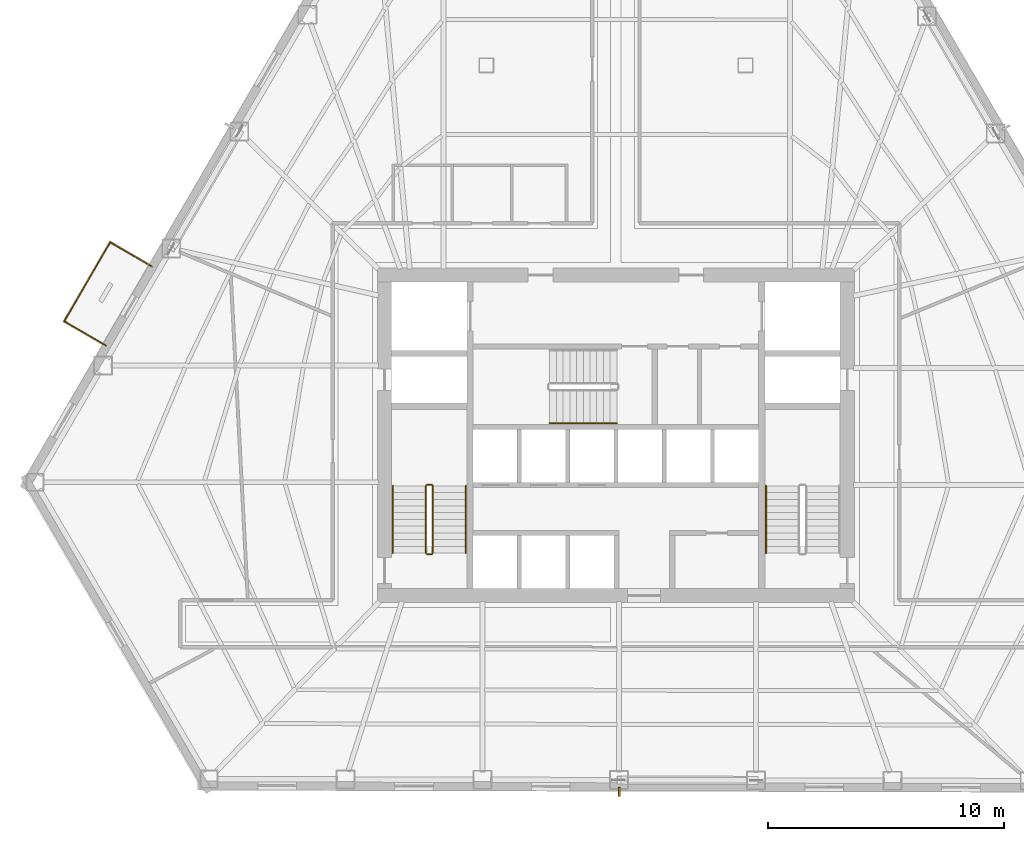
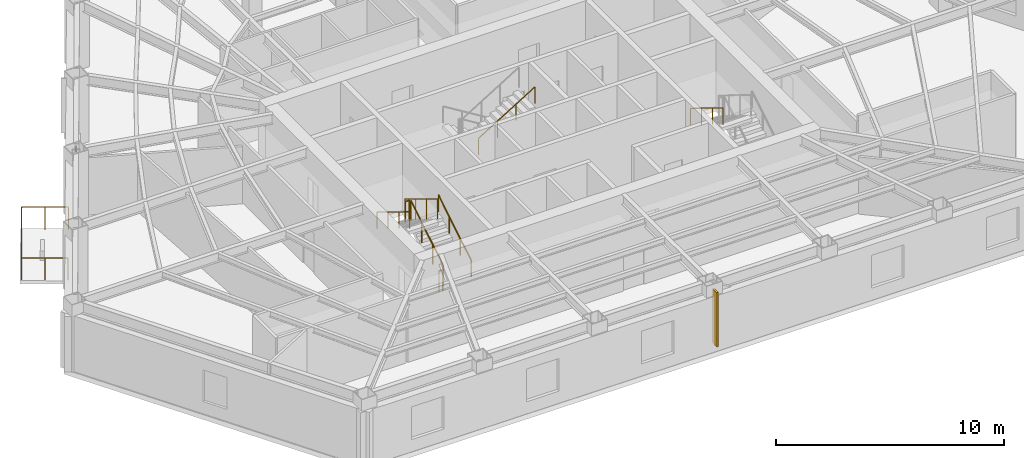
# One storey, part 9 of 11: 11 railings, 1 shading device.
"""IFC4 building model written with IfcOpenShell, lengths in metres."""

import ifcopenshell
import ifcopenshell.guid

model = None  # the IFC model being written
_history = None  # IfcOwnerHistory: only IFC2X3 demands one
_inside = {}  # id of a spatial element -> (the spatial element, [elements in it])
_under = {}  # id of a project, library or spatial element -> (it, [spatial elements below it])
_declared = {}  # id of a project -> (the project, [libraries it declares])
_typed = {}  # id of a type object -> (the type object, [elements of that type])
_made_of = {}  # id of a material, layer set ... -> (it, [elements and type objects made of it])


def new_model(schema):
    """Start an empty IFC model of exactly this schema.

    Asked for "IFC4X3", IfcOpenShell would pick the latest addendum, in which some entities
    have other attributes; the version numbers below select the first issue.
    IFC2X3 requires an IfcOwnerHistory on every rooted entity: one is made here for all.
    """
    global model, _history
    if schema == "IFC4X3":
        model = ifcopenshell.file(schema_version=(4, 3, 0, 0))
    else:
        model = ifcopenshell.file(schema=schema)
    _inside.clear()
    _under.clear()
    _declared.clear()
    _typed.clear()
    _made_of.clear()
    _history = None
    if model.schema == "IFC2X3":
        org = make("IfcOrganization", Name="unknown")
        user = make(
            "IfcPersonAndOrganization",
            ThePerson=make("IfcPerson", FamilyName="unknown"),
            TheOrganization=org,
        )
        app = make(
            "IfcApplication",
            ApplicationDeveloper=org,
            Version="unknown",
            ApplicationFullName="unknown",
            ApplicationIdentifier="unknown",
        )
        _history = make(
            "IfcOwnerHistory",
            OwningUser=user,
            OwningApplication=app,
            ChangeAction="ADDED",
            CreationDate=0,
        )
    return model


def make(cls, **values):
    """One entity of the class cls with the attributes given. An attribute that is None is left unset."""
    return model.create_entity(
        cls, **{name: value for name, value in values.items() if value is not None}
    )


def rooted(cls, **values):
    """An entity with a GlobalId (a new one), such as an element, a storey or a relation."""
    return make(cls, GlobalId=ifcopenshell.guid.new(), OwnerHistory=_history, **values)


def si_unit(unit_type, name, prefix=None):
    """IfcSIUnit, for example si_unit("LENGTHUNIT", "METRE", prefix="MILLI")."""
    return make("IfcSIUnit", UnitType=unit_type, Prefix=prefix, Name=name)


def assignment(units):
    """IfcUnitAssignment: the units of a project."""
    return None if units is None else make("IfcUnitAssignment", Units=units)


def point(xyz):
    """IfcCartesianPoint."""
    return None if xyz is None else make("IfcCartesianPoint", Coordinates=xyz)


def direction(xyz):
    """IfcDirection."""
    return None if xyz is None else make("IfcDirection", DirectionRatios=xyz)


def frame(location, z_axis=None, x_axis=None):
    """IfcAxis2Placement3D, a coordinate frame: its origin and axes. An axis left out is left unset."""
    return make(
        "IfcAxis2Placement3D",
        Location=point(location),
        Axis=direction(z_axis),
        RefDirection=direction(x_axis),
    )


def frame_2d(location, x_axis=None):
    """IfcAxis2Placement2D, a coordinate frame in the plane: its origin and x axis."""
    return make(
        "IfcAxis2Placement2D", Location=point(location), RefDirection=direction(x_axis)
    )


def origin():
    """The frame at (0, 0, 0) with its axes left unset."""
    return frame((0.0, 0.0, 0.0))


def origin_2d():
    """The frame at (0, 0) in the plane with its x axis left unset."""
    return frame_2d((0.0, 0.0))


def place(relative_to, where):
    """IfcLocalPlacement: puts the frame where relative to a parent placement (None: the world)."""
    return make(
        "IfcLocalPlacement", PlacementRelTo=relative_to, RelativePlacement=where
    )


def context(
    kind, dimensions, precision=None, world=None, true_north=None, identifier=None
):
    """IfcGeometricRepresentationContext, for example the 3D "Model" context."""
    return make(
        "IfcGeometricRepresentationContext",
        ContextIdentifier=identifier,
        ContextType=kind,
        CoordinateSpaceDimension=dimensions,
        Precision=precision,
        WorldCoordinateSystem=world,
        TrueNorth=true_north,
    )


def subcontext(parent, identifier, kind, view, scale=None):
    """IfcGeometricRepresentationSubContext, for example "Body" below "Model"."""
    return make(
        "IfcGeometricRepresentationSubContext",
        ContextIdentifier=identifier,
        ContextType=kind,
        ParentContext=parent,
        TargetScale=scale,
        TargetView=view,
    )


def project(units=None, contexts=None):
    """IfcProject with its units and contexts."""
    return rooted(
        "IfcProject",
        Name="project",
        RepresentationContexts=contexts,
        UnitsInContext=assignment(units),
    )


def spatial(cls, under=None, at=None, **own):
    """A site, building, storey or space (cls), placed at a placement, below another one or the project."""
    s = rooted(cls, ObjectPlacement=at, **own)
    if under is not None:
        _under.setdefault(under.id(), (under, []))[1].append(s)
    return s


def profile(cls, at=None, kind="AREA", **sizes):
    """A parametric profile (cls). Its sizes go by their IFC names, for example OverallWidth=200.0."""
    return make(cls, ProfileType=kind, Position=at, **sizes)


def rectangle(**sizes):
    """IfcRectangleProfileDef."""
    return profile("IfcRectangleProfileDef", **sizes)


def circle(**sizes):
    """IfcCircleProfileDef."""
    return profile("IfcCircleProfileDef", **sizes)


def extrude(swept, where, along, depth):
    """IfcExtrudedAreaSolid: the profile swept, set in the frame where, extruded along a direction by depth."""
    return make(
        "IfcExtrudedAreaSolid",
        SweptArea=swept,
        Position=where,
        ExtrudedDirection=direction(along),
        Depth=depth,
    )


def shape(context_of_items, identifier, shape_type, items):
    """IfcShapeRepresentation: the items that make up one representation, for example the "Body"."""
    return make(
        "IfcShapeRepresentation",
        ContextOfItems=context_of_items,
        RepresentationIdentifier=identifier,
        RepresentationType=shape_type,
        Items=items,
    )


def material(Name=None, Category=None):
    """IfcMaterial."""
    return make("IfcMaterial", Name=Name, Category=Category)


def layer(
    of_material, thickness, ventilated=None, Name=None, Category=None, Priority=None
):
    """IfcMaterialLayer: one layer of a wall or slab, of a material (None: an air gap)."""
    return make(
        "IfcMaterialLayer",
        Material=of_material,
        LayerThickness=thickness,
        IsVentilated=ventilated,
        Name=Name,
        Category=Category,
        Priority=Priority,
    )


def layer_set(layers, Name=None):
    """IfcMaterialLayerSet."""
    return make("IfcMaterialLayerSet", MaterialLayers=layers, LayerSetName=Name)


def made_of(thing, what):
    """Note that an element or type object is made of a material, layer set ...; save() writes the relation."""
    if what is not None:
        _made_of.setdefault(what.id(), (what, []))[1].append(thing)
    return thing


def type_object(cls, material=None, **own):
    """A type object (cls), such as IfcWallType, which elements share."""
    return made_of(rooted(cls, **own), material)


def element(
    cls,
    number,
    at=None,
    inside=None,
    cuts=None,
    type_object=None,
    material=None,
    context=None,
    identifier="Body",
    shape_type=None,
    held_by="IfcProductDefinitionShape",
    body=None,
    shapes=None,
    **own,
):
    """One element of the class cls, such as IfcWall. Its Tag is "e" and its number.

    at: its placement. inside: the storey or other place that contains it. cuts: it is an
    opening in that element (IfcRelVoidsElement). A single representation is given by context,
    identifier, shape_type and body (its items); several are given by shapes. held_by: the class
    of the entity that holds the representations. save() writes the other relations.
    """
    e = rooted(cls, Tag="e%d" % number, ObjectPlacement=at, **own)
    if body is not None:
        shapes = [shape(context, identifier, shape_type, body)]
    if shapes is not None:
        e.Representation = make(held_by, Representations=shapes)
    if inside is not None:
        _inside.setdefault(inside.id(), (inside, []))[1].append(e)
    if cuts is not None:
        rooted(
            "IfcRelVoidsElement", RelatingBuildingElement=cuts, RelatedOpeningElement=e
        )
    if type_object is not None:
        _typed.setdefault(type_object.id(), (type_object, []))[1].append(e)
    return made_of(e, material)


def aggregate(whole, parts):
    """IfcRelAggregates: a whole, such as a stair, and the parts it consists of."""
    return rooted("IfcRelAggregates", RelatingObject=whole, RelatedObjects=parts)


def save(model, path):
    """Write the relations noted so far, then the file.

    IfcRelAggregates (storeys below a building ...), IfcRelContainedInSpatialStructure (elements
    in a storey), IfcRelDefinesByType, IfcRelAssociatesMaterial and IfcRelDeclares: one each for
    every whole, place, type object, material and project.
    """
    for whole, parts in _under.values():
        aggregate(whole, parts)
    for where, things in _inside.values():
        rooted(
            "IfcRelContainedInSpatialStructure",
            RelatedElements=things,
            RelatingStructure=where,
        )
    for kind, things in _typed.values():
        rooted("IfcRelDefinesByType", RelatedObjects=things, RelatingType=kind)
    for what, things in _made_of.values():
        rooted("IfcRelAssociatesMaterial", RelatedObjects=things, RelatingMaterial=what)
    for by, libraries in _declared.values():
        rooted("IfcRelDeclares", RelatingContext=by, RelatedDefinitions=libraries)
    model.write(path)


model = new_model("IFC4")

# Units and contexts
model_context = context("Model", 3, precision=1e-05, world=origin(), true_north=direction((0.0, 1.0)))
body_context = subcontext(model_context, "Body", "Model", "MODEL_VIEW")
ifc_project = project(units=[si_unit("LENGTHUNIT", "METRE"), si_unit("AREAUNIT", "SQUARE_METRE"), si_unit("VOLUMEUNIT", "CUBIC_METRE"), si_unit("PLANEANGLEUNIT", "RADIAN"), si_unit("MASSUNIT", "GRAM", prefix="KILO")], contexts=[model_context])

# Site, building, storey
site_placement = place(None, origin())
site = spatial("IfcSite", under=ifc_project, at=site_placement, CompositionType="ELEMENT")
building_placement = place(site_placement, origin())
building = spatial("IfcBuilding", under=site, at=building_placement, Name="Kavelnor Concourse Tower", CompositionType="ELEMENT")
storey_placement = place(building_placement, frame((0.0, 0.0, 56.050048828125)))
storey = spatial("IfcBuildingStorey", under=building, at=storey_placement, Name="L14", CompositionType="ELEMENT", Elevation=56.050048828125)

# Railings
ifc_material_1 = material(Name="Steel Grade 350", Category="steel")
railing_type_1 = type_object("IfcRailingType", Name="RLG-GUARD-1100", PredefinedType="GUARDRAIL", material=ifc_material_1)
railing_1_placement = place(storey_placement, frame((30.22998046875, 11.10009765625, 0.175048828125)))
element("IfcRailing", 1, at=railing_1_placement, inside=storey, type_object=railing_type_1, Name="L14 ST1 stair guard 1", PredefinedType="GUARDRAIL", context=body_context, shape_type="SweptSolid", body=[
    extrude(circle(Radius=0.02392578125, at=origin_2d()), frame((0.0, 0.0, 1.076171875), z_axis=(0.0, 0.852159232446, 0.523282564737), x_axis=(-1.0, 0.0, 0.0)), (0.0, 0.0, 1.0), 3.34423828125),
    extrude(circle(Radius=0.02099609375, at=origin_2d()), origin(), (0.0, 0.0, 1.0), 1.052001953125),
    extrude(circle(Radius=0.02099609375, at=origin_2d()), frame((0.0, 0.949951171875, 0.583251953125)), (0.0, 0.0, 1.0), 1.052001953125),
    extrude(circle(Radius=0.02099609375, at=origin_2d()), frame((0.0, 1.89990234375, 1.166748046875)), (0.0, 0.0, 1.0), 1.052001953125),
    extrude(circle(Radius=0.02099609375, at=origin_2d()), frame((0.0, 2.849853515625, 1.75)), (0.0, 0.0, 1.0), 1.052001953125),
])
railing_2_placement = place(storey_placement, frame((30.179931640625, 14.0, 1.925048828125)))
element("IfcRailing", 2, at=railing_2_placement, inside=storey, type_object=railing_type_1, Name="L14 ST1 stair guard 2", PredefinedType="GUARDRAIL", context=body_context, shape_type="SweptSolid", body=[
    extrude(circle(Radius=0.02392578125, at=origin_2d()), frame((0.0, 0.0, 1.076171875), z_axis=(-1.0, 0.0, 0.0), x_axis=(0.0, -1.0, 0.0)), (0.0, 0.0, 1.0), 0.199951171875),
    extrude(circle(Radius=0.02099609375, at=origin_2d()), origin(), (0.0, 0.0, 1.0), 1.052001953125),
    extrude(circle(Radius=0.02099609375, at=origin_2d()), frame((-0.199951171875, 0.0, 0.0)), (0.0, 0.0, 1.0), 1.052001953125),
])
railing_3_placement = place(storey_placement, frame((29.929931640625, 13.949951171875, 2.099853515625)))
element("IfcRailing", 3, at=railing_3_placement, inside=storey, type_object=railing_type_1, Name="L14 ST1 stair guard 3", PredefinedType="GUARDRAIL", context=body_context, shape_type="SweptSolid", body=[
    extrude(circle(Radius=0.02392578125, at=origin_2d()), frame((0.0, 0.0, 1.076171875), z_axis=(0.0, -0.852159232446, 0.523282564737), x_axis=(1.0, 0.0, 0.0)), (0.0, 0.0, 1.0), 3.34423828125),
    extrude(circle(Radius=0.02099609375, at=origin_2d()), origin(), (0.0, 0.0, 1.0), 1.052001953125),
    extrude(circle(Radius=0.02099609375, at=origin_2d()), frame((0.0, -0.949951171875, 0.583251953125)), (0.0, 0.0, 1.0), 1.052001953125),
    extrude(circle(Radius=0.02099609375, at=origin_2d()), frame((0.0, -1.89990234375, 1.166748046875)), (0.0, 0.0, 1.0), 1.052001953125),
    extrude(circle(Radius=0.02099609375, at=origin_2d()), frame((0.0, -2.849853515625, 1.75)), (0.0, 0.0, 1.0), 1.052001953125),
])
railing_4_placement = place(storey_placement, frame((30.179931640625, 11.050048828125, 0.0)))
element("IfcRailing", 4, at=railing_4_placement, inside=storey, type_object=railing_type_1, Name="L14 ST1 stair guard 4", PredefinedType="GUARDRAIL", context=body_context, shape_type="SweptSolid", body=[
    extrude(circle(Radius=0.02392578125, at=origin_2d()), frame((0.0, 0.0, 1.076171875), z_axis=(-1.0, 0.0, 0.0), x_axis=(0.0, -1.0, 0.0)), (0.0, 0.0, 1.0), 0.199951171875),
    extrude(circle(Radius=0.02099609375, at=origin_2d()), origin(), (0.0, 0.0, 1.0), 1.052001953125),
    extrude(circle(Radius=0.02099609375, at=origin_2d()), frame((-0.199951171875, 0.0, 0.0)), (0.0, 0.0, 1.0), 1.052001953125),
])
railing_type_2 = type_object("IfcRailingType", Name="RLG-HANDRAIL-900", PredefinedType="HANDRAIL", material=ifc_material_1)
railing_5_placement = place(storey_placement, frame((31.6298828125, 11.10009765625, 0.175048828125)))
element("IfcRailing", 5, at=railing_5_placement, inside=storey, type_object=railing_type_2, Name="L14 ST1 stair handrail 1", PredefinedType="HANDRAIL", context=body_context, shape_type="SweptSolid", body=[
    extrude(circle(Radius=0.02392578125, at=origin_2d()), frame((0.0, 0.0, 0.8759765625), z_axis=(0.0, 0.852159232446, 0.523282564737), x_axis=(-1.0, 0.0, 0.0)), (0.0, 0.0, 1.0), 3.34423828125),
    extrude(circle(Radius=0.02099609375, at=origin_2d()), origin(), (0.0, 0.0, 1.0), 0.851806640625),
    extrude(circle(Radius=0.02099609375, at=origin_2d()), frame((0.0, 0.949951171875, 0.583251953125)), (0.0, 0.0, 1.0), 0.851806640625),
    extrude(circle(Radius=0.02099609375, at=origin_2d()), frame((0.0, 1.89990234375, 1.166748046875)), (0.0, 0.0, 1.0), 0.851806640625),
    extrude(circle(Radius=0.02099609375, at=origin_2d()), frame((0.0, 2.849853515625, 1.75)), (0.0, 0.0, 1.0), 0.851806640625),
])
for number, where, name in (
    (6, (28.530029296875, 13.949951171875, 2.099853515625), "L14 ST1 stair handrail 2"),
    (7, (44.3701171875, 13.949951171875, 2.099853515625), "L14 ST2 stair handrail 2"),
):
    element("IfcRailing", number, at=place(storey_placement, frame(where)), inside=storey, type_object=railing_type_2, Name=name, PredefinedType="HANDRAIL", context=body_context, shape_type="SweptSolid", body=[
        extrude(circle(Radius=0.02392578125, at=origin_2d()), frame((0.0, 0.0, 0.8759765625), z_axis=(0.0, -0.852159232446, 0.523282564737), x_axis=(1.0, 0.0, 0.0)), (0.0, 0.0, 1.0), 3.34423828125),
        extrude(circle(Radius=0.02099609375, at=origin_2d()), origin(), (0.0, 0.0, 1.0), 0.851806640625),
        extrude(circle(Radius=0.02099609375, at=origin_2d()), frame((0.0, -0.949951171875, 0.583251953125)), (0.0, 0.0, 1.0), 0.851806640625),
        extrude(circle(Radius=0.02099609375, at=origin_2d()), frame((0.0, -1.89990234375, 1.166748046875)), (0.0, 0.0, 1.0), 0.851806640625),
        extrude(circle(Radius=0.02099609375, at=origin_2d()), frame((0.0, -2.849853515625, 1.75)), (0.0, 0.0, 1.0), 0.851806640625),
    ])
railing_6_placement = place(storey_placement, frame((35.18994140625, 16.610107421875, 2.099853515625)))
element("IfcRailing", 8, at=railing_6_placement, inside=storey, type_object=railing_type_2, Name="L14 ST3 stair handrail 2", PredefinedType="HANDRAIL", context=body_context, shape_type="SweptSolid", body=[
    extrude(circle(Radius=0.02392578125, at=origin_2d()), frame((0.0, 0.0, 0.8759765625), z_axis=(0.852179220489, 0.0, 0.52325001306), x_axis=(0.0, 1.0, 0.0)), (0.0, 0.0, 1.0), 3.344482421875),
    extrude(circle(Radius=0.02099609375, at=origin_2d()), origin(), (0.0, 0.0, 1.0), 0.851806640625),
    extrude(circle(Radius=0.02099609375, at=origin_2d()), frame((0.949951171875, 0.0, 0.583251953125)), (0.0, 0.0, 1.0), 0.851806640625),
    extrude(circle(Radius=0.02099609375, at=origin_2d()), frame((1.900146484375, 0.0, 1.166748046875)), (0.0, 0.0, 1.0), 0.851806640625),
    extrude(circle(Radius=0.02099609375, at=origin_2d()), frame((2.85009765625, 0.0, 1.75)), (0.0, 0.0, 1.0), 0.851806640625),
])
ifc_material_2 = material(Name="Architectural bronze-anodised aluminium", Category="aluminium")
railing_type_3 = type_object("IfcRailingType", Name="RLG-TERRACE-1200", PredefinedType="BALUSTRADE", material=ifc_material_2)
railing_7_placement = place(storey_placement, frame((18.307861328125, 23.25830078125, 0.0)))
element("IfcRailing", 9, at=railing_7_placement, inside=storey, type_object=railing_type_3, Name="L14 Tree Balcony 2 Guardrail L", PredefinedType="BALUSTRADE", context=body_context, shape_type="SweptSolid", body=[
    extrude(circle(Radius=0.02392578125, at=origin_2d()), frame((0.0, 0.0, 1.17578125), z_axis=(-0.864072453203, 0.503367455856, 0.0), x_axis=(-0.503367455856, -0.864072453203, 0.0)), (0.0, 0.0, 1.0), 2.050048828125),
    extrude(circle(Radius=0.02099609375, at=origin_2d()), origin(), (0.0, 0.0, 1.0), 1.15185546875),
    extrude(circle(Radius=0.02099609375, at=origin_2d()), frame((-0.8857421875, 0.51611328125, 0.0)), (0.0, 0.0, 1.0), 1.15185546875),
    extrude(circle(Radius=0.02099609375, at=origin_2d()), frame((-1.771484375, 1.031982421875, 0.0)), (0.0, 0.0, 1.0), 1.15185546875),
])
railing_8_placement = place(storey_placement, frame((16.536376953125, 24.290283203125, 0.0)))
element("IfcRailing", 10, at=railing_8_placement, inside=storey, type_object=railing_type_3, Name="L14 Tree Balcony 2 Guardrail F", PredefinedType="BALUSTRADE", context=body_context, shape_type="SweptSolid", body=[
    extrude(circle(Radius=0.02392578125, at=origin_2d()), frame((0.0, 0.0, 1.17578125), z_axis=(-0.503311470063, -0.864105065431, 0.0), x_axis=(0.864105065431, -0.503311470063, 0.0)), (0.0, 0.0, 1.0), 3.880126953125),
    extrude(circle(Radius=0.02099609375, at=origin_2d()), origin(), (0.0, 0.0, 1.0), 1.15185546875),
    extrude(circle(Radius=0.02099609375, at=origin_2d()), frame((-0.48828125, -0.838134765625, 0.0)), (0.0, 0.0, 1.0), 1.15185546875),
    extrude(circle(Radius=0.02099609375, at=origin_2d()), frame((-0.9765625, -1.67626953125, 0.0)), (0.0, 0.0, 1.0), 1.15185546875),
    extrude(circle(Radius=0.02099609375, at=origin_2d()), frame((-1.464599609375, -2.5146484375, 0.0)), (0.0, 0.0, 1.0), 1.15185546875),
    extrude(circle(Radius=0.02099609375, at=origin_2d()), frame((-1.952880859375, -3.352783203125, 0.0)), (0.0, 0.0, 1.0), 1.15185546875),
])
railing_9_placement = place(storey_placement, frame((14.58349609375, 20.9375, 0.0)))
element("IfcRailing", 11, at=railing_9_placement, inside=storey, type_object=railing_type_3, Name="L14 Tree Balcony 2 Guardrail R", PredefinedType="BALUSTRADE", context=body_context, shape_type="SweptSolid", body=[
    extrude(circle(Radius=0.02392578125, at=origin_2d()), frame((0.0, 0.0, 1.17578125), z_axis=(0.864072453203, -0.503367455856, 0.0), x_axis=(0.503367455856, 0.864072453203, 0.0)), (0.0, 0.0, 1.0), 2.050048828125),
    extrude(circle(Radius=0.02099609375, at=origin_2d()), origin(), (0.0, 0.0, 1.0), 1.15185546875),
    extrude(circle(Radius=0.02099609375, at=origin_2d()), frame((0.8857421875, -0.51611328125, 0.0)), (0.0, 0.0, 1.0), 1.15185546875),
    extrude(circle(Radius=0.02099609375, at=origin_2d()), frame((1.771484375, -1.031982421875, 0.0)), (0.0, 0.0, 1.0), 1.15185546875),
])

# Shading device
ifc_layer = layer(ifc_material_2, 0.06005859375, Name="Architectural bronze-anodised aluminium")
ifc_layer_set = layer_set([ifc_layer], Name="Architectural bronze-anodised aluminium")
shading_device_type = type_object("IfcShadingDeviceType", Name="SHD-SOLAR-FIN", PredefinedType="JALOUSIE", material=ifc_layer_set)
shading_device_placement = place(storey_placement, frame((38.13330078125, 0.971435546875, 0.39990234375), z_axis=(0.0, 0.0, 1.0), x_axis=(-0.002443458521, -0.999997014751, 0.0)))
element("IfcShadingDevice", 12, at=shading_device_placement, inside=storey, type_object=shading_device_type, Name="L14 Bronze Pier Solar Fin F1", PredefinedType="JALOUSIE", context=body_context, shape_type="SweptSolid", body=[
    extrude(rectangle(XDim=0.3798828125, YDim=0.080078125, at=origin_2d()), origin(), (0.0, 0.0, 1.0), 2.89990234375),
])

save(model, "model.ifc")
